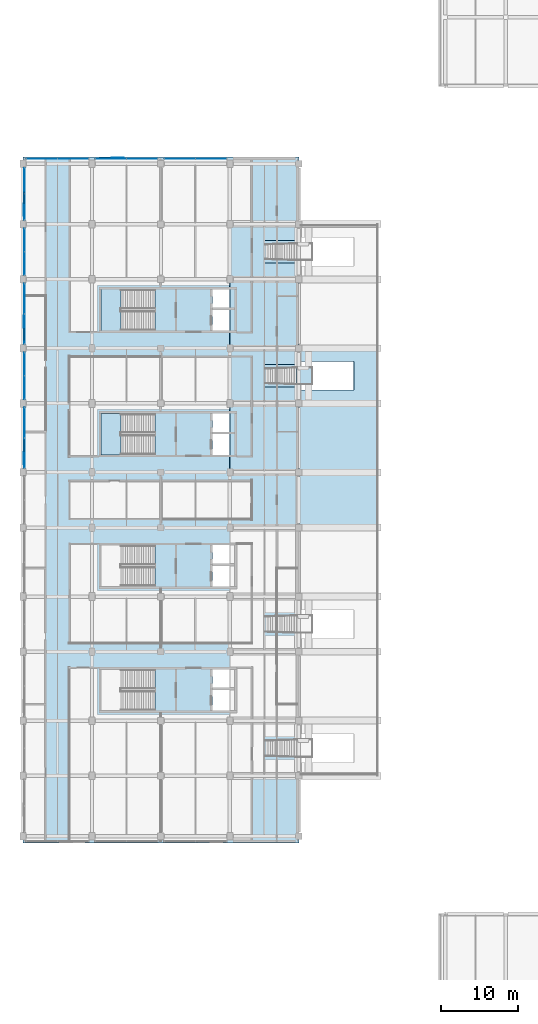
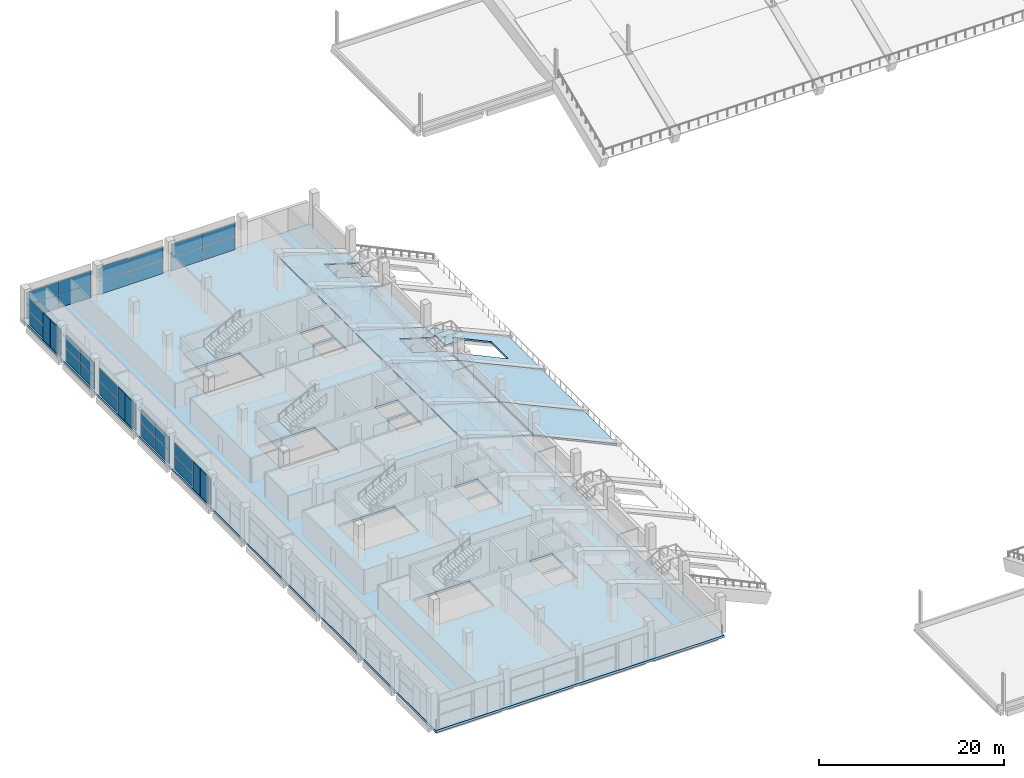
# One storey, part 42 of 66: 40 plates, 12 slabs, 10 elements without a shape of their own.
"""IFC4 building model written with IfcOpenShell, lengths in metres."""

from ifc_helpers import new_model, si_unit, direction, frame, origin, origin_2d, place, context, subcontext, project, spatial, polyline, rectangle, outline, extrude, material, layer, layer_set, type_object, element, aggregate, save


model = new_model("IFC4")

# Units and contexts
model_context = context("Model", 3, precision=1e-05, world=origin(), true_north=direction((0.0, 1.0)))
body_context = subcontext(model_context, "Body", "Model", "MODEL_VIEW")
ifc_project = project(units=[si_unit("LENGTHUNIT", "METRE"), si_unit("AREAUNIT", "SQUARE_METRE"), si_unit("VOLUMEUNIT", "CUBIC_METRE"), si_unit("PLANEANGLEUNIT", "RADIAN"), si_unit("MASSUNIT", "GRAM", prefix="KILO"), si_unit("THERMODYNAMICTEMPERATUREUNIT", "KELVIN"), si_unit("POWERUNIT", "WATT")], contexts=[model_context])

# Site, building, storey
site_placement = place(None, origin())
site = spatial("IfcSite", under=ifc_project, at=site_placement, CompositionType="ELEMENT")
building_placement = place(site_placement, origin())
building = spatial("IfcBuilding", under=site, at=building_placement, Name="Sindhuravela Promenade Stadium", CompositionType="ELEMENT")
storey_placement = place(building_placement, frame((0.0, 0.0, 19.199951171875)))
storey = spatial("IfcBuildingStorey", under=building, at=storey_placement, Name="L04", CompositionType="ELEMENT", Elevation=19.199951171875)

# Plates
ifc_material_1 = material(Name="Perforated terracotta celosia brick (15 MPa)", Category="masonry")
ifc_layer_1 = layer(ifc_material_1, 0.090087890625)
ifc_layer_set_1 = layer_set([ifc_layer_1], Name="Perforated terracotta celosia brick (15 MPa)")
plate_type_1 = type_object("IfcPlateType", Name="CL-SCR-01", PredefinedType="USERDEFINED", material=ifc_layer_set_1)
for number, where, z_axis, x_axis, name in (
    (1, (0.1201171875, 104.2548828125, 0.0), (0.0, 0.0, 1.0), (0.0, 1.0, 0.0), "Perforated brick celosia screen WEST L04-56"),
    (2, (12.35498046875, 125.6298828125, 0.0), (0.0, 0.0, 1.0), (1.0, 0.0, 0.0), "Perforated brick celosia screen WEST L04-60"),
):
    element("IfcPlate", number, at=place(storey_placement, frame(where, z_axis=z_axis, x_axis=x_axis)), inside=storey, type_object=plate_type_1, Name=name, ObjectType="SCREEN PANEL", PredefinedType="USERDEFINED", context=body_context, shape_type="SweptSolid", body=[
        extrude(rectangle(XDim=1.56005859375, YDim=0.090087890625, at=origin_2d()), origin(), (0.0, 0.0, 1.0), 3.580078125),
    ])
ifc_layer_2 = layer(ifc_material_1, 0.114990234375)
ifc_layer_set_2 = layer_set([ifc_layer_2], Name="Perforated terracotta celosia brick (15 MPa)")
plate_type_2 = type_object("IfcPlateType", Name="CL-SCR-02", PredefinedType="USERDEFINED", material=ifc_layer_set_2)
for number, where, z_axis, x_axis, name in (
    (3, (0.1201171875, 86.455078125, 0.0), (0.0, 0.0, 1.0), (0.0, 1.0, 0.0), "Perforated brick celosia screen WEST L04-53"),
    (4, (0.1201171875, 118.85498046875, 0.0), (0.0, 0.0, 1.0), (0.0, 1.0, 0.0), "Perforated brick celosia screen WEST L04-57"),
):
    element("IfcPlate", number, at=place(storey_placement, frame(where, z_axis=z_axis, x_axis=x_axis)), inside=storey, type_object=plate_type_2, Name=name, ObjectType="SCREEN PANEL", PredefinedType="USERDEFINED", context=body_context, shape_type="SweptSolid", body=[
        extrude(rectangle(XDim=1.56005859375, YDim=0.114990234375, at=origin_2d()), origin(), (0.0, 0.0, 1.0), 3.580078125),
    ])
ifc_layer_3 = layer(ifc_material_1, 0.139892578125)
ifc_layer_set_3 = layer_set([ifc_layer_3], Name="Perforated terracotta celosia brick (15 MPa)")
plate_type_3 = type_object("IfcPlateType", Name="CL-SCR-03", PredefinedType="USERDEFINED", material=ifc_layer_set_3)
for number, where, z_axis, x_axis, name in (
    (5, (0.1201171875, 88.054931640625, 0.0), (0.0, 0.0, 1.0), (0.0, 1.0, 0.0), "Perforated brick celosia screen WEST L04-54"),
    (6, (0.1201171875, 120.455078125, 0.0), (0.0, 0.0, 1.0), (0.0, 1.0, 0.0), "Perforated brick celosia screen WEST L04-58"),
):
    element("IfcPlate", number, at=place(storey_placement, frame(where, z_axis=z_axis, x_axis=x_axis)), inside=storey, type_object=plate_type_3, Name=name, ObjectType="SCREEN PANEL", PredefinedType="USERDEFINED", context=body_context, shape_type="SweptSolid", body=[
        extrude(rectangle(XDim=1.56005859375, YDim=0.139892578125, at=origin_2d()), origin(), (0.0, 0.0, 1.0), 3.580078125),
    ])
ifc_layer_4 = layer(ifc_material_1, 0.1650390625)
ifc_layer_set_4 = layer_set([ifc_layer_4], Name="Perforated terracotta celosia brick (15 MPa)")
plate_type_4 = type_object("IfcPlateType", Name="CL-SCR-04", PredefinedType="USERDEFINED", material=ifc_layer_set_4)
for number, where, z_axis, x_axis, name in (
    (7, (0.1201171875, 102.655029296875, 0.0), (0.0, 0.0, 1.0), (0.0, 1.0, 0.0), "Perforated brick celosia screen WEST L04-55"),
    (8, (10.7548828125, 125.6298828125, 0.0), (0.0, 0.0, 1.0), (1.0, 0.0, 0.0), "Perforated brick celosia screen WEST L04-59"),
):
    element("IfcPlate", number, at=place(storey_placement, frame(where, z_axis=z_axis, x_axis=x_axis)), inside=storey, type_object=plate_type_4, Name=name, ObjectType="SCREEN PANEL", PredefinedType="USERDEFINED", context=body_context, shape_type="SweptSolid", body=[
        extrude(rectangle(XDim=1.56005859375, YDim=0.1650390625, at=origin_2d()), origin(), (0.0, 0.0, 1.0), 3.580078125),
    ])

# Curtain wall, plates
ifc_material_2 = material(Name="Anodised architectural aluminium 6063-T6", Category="aluminium")
curtain_wall_type_1 = type_object("IfcCurtainWallType", Name="CW-MOD-7", PredefinedType="NOTDEFINED", material=ifc_material_2)
curtain_wall_1_placement = place(storey_placement, origin())
curtain_wall_1 = element("IfcCurtainWall", 9, at=curtain_wall_1_placement, inside=storey, type_object=curtain_wall_type_1, Name="Bronze curtain wall CW-WEST-L04-054", PredefinedType="NOTDEFINED")
ifc_material_3 = material(Name="Tempered laminated low-E glass", Category="glass")
ifc_layer_5 = layer(ifc_material_3, 0.028076171875)
ifc_layer_set_5 = layer_set([ifc_layer_5], Name="Tempered laminated low-E glass")
plate_type_5 = type_object("IfcPlateType", Name="CW-PNL-01", PredefinedType="CURTAIN_PANEL", material=ifc_layer_set_5)
plate_1_placement = place(storey_placement, frame((0.199951171875, 87.125, 0.01513671875), z_axis=(0.0, 0.0, 1.0), x_axis=(0.0, 1.0, 0.0)))
plate_1 = element("IfcPlate", 10, at=plate_1_placement, type_object=plate_type_5, Name="Glazed curtain panel CW-WEST-L04-054-P1.1", PredefinedType="CURTAIN_PANEL", context=body_context, shape_type="SweptSolid", body=[
    extrude(rectangle(XDim=3.889892578125, YDim=0.028076171875, at=origin_2d()), origin(), (0.0, 0.0, 1.0), 1.760009765625),
])
plate_2_placement = place(storey_placement, frame((0.199951171875, 87.125, 1.80517578125), z_axis=(0.0, 0.0, 1.0), x_axis=(0.0, 1.0, 0.0)))
plate_2 = element("IfcPlate", 11, at=plate_2_placement, type_object=plate_type_5, Name="Glazed curtain panel CW-WEST-L04-054-P1.2", PredefinedType="CURTAIN_PANEL", context=body_context, shape_type="SweptSolid", body=[
    extrude(rectangle(XDim=3.889892578125, YDim=0.028076171875, at=origin_2d()), origin(), (0.0, 0.0, 1.0), 1.679931640625),
])
plate_3_placement = place(storey_placement, frame((0.199951171875, 91.074951171875, 0.01513671875), z_axis=(0.0, 0.0, 1.0), x_axis=(0.0, 1.0, 0.0)))
plate_3 = element("IfcPlate", 12, at=plate_3_placement, type_object=plate_type_5, Name="Glazed curtain panel CW-WEST-L04-054-P2.1", PredefinedType="CURTAIN_PANEL", context=body_context, shape_type="SweptSolid", body=[
    extrude(rectangle(XDim=3.889892578125, YDim=0.028076171875, at=origin_2d()), origin(), (0.0, 0.0, 1.0), 1.760009765625),
])
plate_4_placement = place(storey_placement, frame((0.199951171875, 91.074951171875, 1.80517578125), z_axis=(0.0, 0.0, 1.0), x_axis=(0.0, 1.0, 0.0)))
plate_4 = element("IfcPlate", 13, at=plate_4_placement, type_object=plate_type_5, Name="Glazed curtain panel CW-WEST-L04-054-P2.2", PredefinedType="CURTAIN_PANEL", context=body_context, shape_type="SweptSolid", body=[
    extrude(rectangle(XDim=3.889892578125, YDim=0.028076171875, at=origin_2d()), origin(), (0.0, 0.0, 1.0), 1.679931640625),
])
aggregate(curtain_wall_1, [plate_1, plate_2, plate_3, plate_4])

curtain_wall_type_2 = type_object("IfcCurtainWallType", Name="CW-MOD-1", PredefinedType="NOTDEFINED", material=ifc_material_2)
curtain_wall_2_placement = place(storey_placement, origin())
curtain_wall_2 = element("IfcCurtainWall", 14, at=curtain_wall_2_placement, inside=storey, type_object=curtain_wall_type_2, Name="Bronze curtain wall CW-WEST-L04-056", PredefinedType="NOTDEFINED")
plate_5_placement = place(storey_placement, frame((0.199951171875, 103.324951171875, 0.01513671875), z_axis=(0.0, 0.0, 1.0), x_axis=(0.0, 1.0, 0.0)))
plate_5 = element("IfcPlate", 15, at=plate_5_placement, type_object=plate_type_5, Name="Glazed curtain panel CW-WEST-L04-056-P1.1", PredefinedType="CURTAIN_PANEL", context=body_context, shape_type="SweptSolid", body=[
    extrude(rectangle(XDim=3.889892578125, YDim=0.028076171875, at=origin_2d()), origin(), (0.0, 0.0, 1.0), 1.760009765625),
])
plate_6_placement = place(storey_placement, frame((0.199951171875, 103.324951171875, 1.80517578125), z_axis=(0.0, 0.0, 1.0), x_axis=(0.0, 1.0, 0.0)))
plate_6 = element("IfcPlate", 16, at=plate_6_placement, type_object=plate_type_5, Name="Glazed curtain panel CW-WEST-L04-056-P1.2", PredefinedType="CURTAIN_PANEL", context=body_context, shape_type="SweptSolid", body=[
    extrude(rectangle(XDim=3.889892578125, YDim=0.028076171875, at=origin_2d()), origin(), (0.0, 0.0, 1.0), 1.679931640625),
])
plate_7_placement = place(storey_placement, frame((0.199951171875, 107.27490234375, 0.01513671875), z_axis=(0.0, 0.0, 1.0), x_axis=(0.0, 1.0, 0.0)))
plate_7 = element("IfcPlate", 17, at=plate_7_placement, type_object=plate_type_5, Name="Glazed curtain panel CW-WEST-L04-056-P2.1", PredefinedType="CURTAIN_PANEL", context=body_context, shape_type="SweptSolid", body=[
    extrude(rectangle(XDim=3.889892578125, YDim=0.028076171875, at=origin_2d()), origin(), (0.0, 0.0, 1.0), 1.760009765625),
])
plate_8_placement = place(storey_placement, frame((0.199951171875, 107.27490234375, 1.80517578125), z_axis=(0.0, 0.0, 1.0), x_axis=(0.0, 1.0, 0.0)))
plate_8 = element("IfcPlate", 18, at=plate_8_placement, type_object=plate_type_5, Name="Glazed curtain panel CW-WEST-L04-056-P2.2", PredefinedType="CURTAIN_PANEL", context=body_context, shape_type="SweptSolid", body=[
    extrude(rectangle(XDim=3.889892578125, YDim=0.028076171875, at=origin_2d()), origin(), (0.0, 0.0, 1.0), 1.679931640625),
])
aggregate(curtain_wall_2, [plate_5, plate_6, plate_7, plate_8])

curtain_wall_type_3 = type_object("IfcCurtainWallType", Name="CW-MOD-3", PredefinedType="NOTDEFINED", material=ifc_material_2)
curtain_wall_3_placement = place(storey_placement, origin())
curtain_wall_3 = element("IfcCurtainWall", 19, at=curtain_wall_3_placement, inside=storey, type_object=curtain_wall_type_3, Name="Bronze curtain wall CW-WEST-L04-058", PredefinedType="NOTDEFINED")
plate_9_placement = place(storey_placement, frame((0.199951171875, 119.25, 0.01513671875), z_axis=(0.0, 0.0, 1.0), x_axis=(0.0, 1.0, 0.0)))
plate_9 = element("IfcPlate", 20, at=plate_9_placement, type_object=plate_type_5, Name="Glazed curtain panel CW-WEST-L04-058-P1.1", PredefinedType="CURTAIN_PANEL", context=body_context, shape_type="SweptSolid", body=[
    extrude(rectangle(XDim=3.340087890625, YDim=0.028076171875, at=origin_2d()), origin(), (0.0, 0.0, 1.0), 1.760009765625),
])
plate_10_placement = place(storey_placement, frame((0.199951171875, 119.25, 1.80517578125), z_axis=(0.0, 0.0, 1.0), x_axis=(0.0, 1.0, 0.0)))
plate_10 = element("IfcPlate", 21, at=plate_10_placement, type_object=plate_type_5, Name="Glazed curtain panel CW-WEST-L04-058-P1.2", PredefinedType="CURTAIN_PANEL", context=body_context, shape_type="SweptSolid", body=[
    extrude(rectangle(XDim=3.340087890625, YDim=0.028076171875, at=origin_2d()), origin(), (0.0, 0.0, 1.0), 1.679931640625),
])
plate_11_placement = place(storey_placement, frame((0.199951171875, 122.64990234375, 0.01513671875), z_axis=(0.0, 0.0, 1.0), x_axis=(0.0, 1.0, 0.0)))
plate_11 = element("IfcPlate", 22, at=plate_11_placement, type_object=plate_type_5, Name="Glazed curtain panel CW-WEST-L04-058-P2.1", PredefinedType="CURTAIN_PANEL", context=body_context, shape_type="SweptSolid", body=[
    extrude(rectangle(XDim=3.340087890625, YDim=0.028076171875, at=origin_2d()), origin(), (0.0, 0.0, 1.0), 1.760009765625),
])
plate_12_placement = place(storey_placement, frame((0.199951171875, 122.64990234375, 1.80517578125), z_axis=(0.0, 0.0, 1.0), x_axis=(0.0, 1.0, 0.0)))
plate_12 = element("IfcPlate", 23, at=plate_12_placement, type_object=plate_type_5, Name="Glazed curtain panel CW-WEST-L04-058-P2.2", PredefinedType="CURTAIN_PANEL", context=body_context, shape_type="SweptSolid", body=[
    extrude(rectangle(XDim=3.340087890625, YDim=0.028076171875, at=origin_2d()), origin(), (0.0, 0.0, 1.0), 1.679931640625),
])
aggregate(curtain_wall_3, [plate_9, plate_10, plate_11, plate_12])

curtain_wall_type_4 = type_object("IfcCurtainWallType", Name="CW-MOD-5", PredefinedType="NOTDEFINED", material=ifc_material_2)
curtain_wall_4_placement = place(storey_placement, origin())
curtain_wall_4 = element("IfcCurtainWall", 24, at=curtain_wall_4_placement, inside=storey, type_object=curtain_wall_type_4, Name="Bronze curtain wall CW-WEST-L04-060", PredefinedType="NOTDEFINED")
plate_13_placement = place(storey_placement, frame((11.46875, 125.550048828125, 0.01513671875), z_axis=(0.0, 0.0, 1.0), x_axis=(1.0, 0.0, 0.0)))
plate_13 = element("IfcPlate", 25, at=plate_13_placement, type_object=plate_type_5, Name="Glazed curtain panel CW-WEST-L04-060-P1.1", PredefinedType="CURTAIN_PANEL", context=body_context, shape_type="SweptSolid", body=[
    extrude(rectangle(XDim=3.97802734375, YDim=0.028076171875, at=origin_2d()), origin(), (0.0, 0.0, 1.0), 1.760009765625),
])
plate_14_placement = place(storey_placement, frame((11.46875, 125.550048828125, 1.80517578125), z_axis=(0.0, 0.0, 1.0), x_axis=(1.0, 0.0, 0.0)))
plate_14 = element("IfcPlate", 26, at=plate_14_placement, type_object=plate_type_5, Name="Glazed curtain panel CW-WEST-L04-060-P1.2", PredefinedType="CURTAIN_PANEL", context=body_context, shape_type="SweptSolid", body=[
    extrude(rectangle(XDim=3.97802734375, YDim=0.028076171875, at=origin_2d()), origin(), (0.0, 0.0, 1.0), 1.679931640625),
])
plate_15_placement = place(storey_placement, frame((15.506103515625, 125.550048828125, 0.01513671875), z_axis=(0.0, 0.0, 1.0), x_axis=(1.0, 0.0, 0.0)))
plate_15 = element("IfcPlate", 27, at=plate_15_placement, type_object=plate_type_5, Name="Glazed curtain panel CW-WEST-L04-060-P2.1", PredefinedType="CURTAIN_PANEL", context=body_context, shape_type="SweptSolid", body=[
    extrude(rectangle(XDim=3.97802734375, YDim=0.028076171875, at=origin_2d()), origin(), (0.0, 0.0, 1.0), 1.760009765625),
])
plate_16_placement = place(storey_placement, frame((15.506103515625, 125.550048828125, 1.80517578125), z_axis=(0.0, 0.0, 1.0), x_axis=(1.0, 0.0, 0.0)))
plate_16 = element("IfcPlate", 28, at=plate_16_placement, type_object=plate_type_5, Name="Glazed curtain panel CW-WEST-L04-060-P2.2", PredefinedType="CURTAIN_PANEL", context=body_context, shape_type="SweptSolid", body=[
    extrude(rectangle(XDim=3.97802734375, YDim=0.028076171875, at=origin_2d()), origin(), (0.0, 0.0, 1.0), 1.679931640625),
])
aggregate(curtain_wall_4, [plate_13, plate_14, plate_15, plate_16])

curtain_wall_type_5 = type_object("IfcCurtainWallType", Name="CW-MOD-8", PredefinedType="NOTDEFINED", material=ifc_material_2)
curtain_wall_5_placement = place(storey_placement, origin())
curtain_wall_5 = element("IfcCurtainWall", 29, at=curtain_wall_5_placement, inside=storey, type_object=curtain_wall_type_5, Name="Bronze curtain wall CW-WEST-L04-055", PredefinedType="NOTDEFINED")
ifc_layer_6 = layer(ifc_material_3, 0.0400390625)
ifc_layer_set_6 = layer_set([ifc_layer_6], Name="Tempered laminated low-E glass")
plate_type_6 = type_object("IfcPlateType", Name="CW-PNL-02", PredefinedType="CURTAIN_PANEL", material=ifc_layer_set_6)
plate_17_placement = place(storey_placement, frame((0.199951171875, 95.675048828125, 0.01513671875), z_axis=(0.0, 0.0, 1.0), x_axis=(0.0, 1.0, 0.0)))
plate_17 = element("IfcPlate", 30, at=plate_17_placement, type_object=plate_type_6, Name="Glazed curtain panel CW-WEST-L04-055-P1.1", PredefinedType="CURTAIN_PANEL", context=body_context, shape_type="SweptSolid", body=[
    extrude(rectangle(XDim=2.989990234375, YDim=0.0400390625, at=origin_2d()), origin(), (0.0, 0.0, 1.0), 1.760009765625),
])
plate_18_placement = place(storey_placement, frame((0.199951171875, 95.675048828125, 1.80517578125), z_axis=(0.0, 0.0, 1.0), x_axis=(0.0, 1.0, 0.0)))
plate_18 = element("IfcPlate", 31, at=plate_18_placement, type_object=plate_type_6, Name="Glazed curtain panel CW-WEST-L04-055-P1.2", PredefinedType="CURTAIN_PANEL", context=body_context, shape_type="SweptSolid", body=[
    extrude(rectangle(XDim=2.989990234375, YDim=0.0400390625, at=origin_2d()), origin(), (0.0, 0.0, 1.0), 1.679931640625),
])
plate_19_placement = place(storey_placement, frame((0.199951171875, 98.72509765625, 0.01513671875), z_axis=(0.0, 0.0, 1.0), x_axis=(0.0, 1.0, 0.0)))
plate_19 = element("IfcPlate", 32, at=plate_19_placement, type_object=plate_type_6, Name="Glazed curtain panel CW-WEST-L04-055-P2.1", PredefinedType="CURTAIN_PANEL", context=body_context, shape_type="SweptSolid", body=[
    extrude(rectangle(XDim=2.989990234375, YDim=0.0400390625, at=origin_2d()), origin(), (0.0, 0.0, 1.0), 1.760009765625),
])
plate_20_placement = place(storey_placement, frame((0.199951171875, 98.72509765625, 1.80517578125), z_axis=(0.0, 0.0, 1.0), x_axis=(0.0, 1.0, 0.0)))
plate_20 = element("IfcPlate", 33, at=plate_20_placement, type_object=plate_type_6, Name="Glazed curtain panel CW-WEST-L04-055-P2.2", PredefinedType="CURTAIN_PANEL", context=body_context, shape_type="SweptSolid", body=[
    extrude(rectangle(XDim=2.989990234375, YDim=0.0400390625, at=origin_2d()), origin(), (0.0, 0.0, 1.0), 1.679931640625),
])
aggregate(curtain_wall_5, [plate_17, plate_18, plate_19, plate_20])

curtain_wall_type_6 = type_object("IfcCurtainWallType", Name="CW-MOD-2", PredefinedType="NOTDEFINED", material=ifc_material_2)
curtain_wall_6_placement = place(storey_placement, origin())
curtain_wall_6 = element("IfcCurtainWall", 34, at=curtain_wall_6_placement, inside=storey, type_object=curtain_wall_type_6, Name="Bronze curtain wall CW-WEST-L04-057", PredefinedType="NOTDEFINED")
plate_21_placement = place(storey_placement, frame((0.199951171875, 111.875, 0.01513671875), z_axis=(0.0, 0.0, 1.0), x_axis=(0.0, 1.0, 0.0)))
plate_21 = element("IfcPlate", 35, at=plate_21_placement, type_object=plate_type_6, Name="Glazed curtain panel CW-WEST-L04-057-P1.1", PredefinedType="CURTAIN_PANEL", context=body_context, shape_type="SweptSolid", body=[
    extrude(rectangle(XDim=2.989990234375, YDim=0.0400390625, at=origin_2d()), origin(), (0.0, 0.0, 1.0), 1.760009765625),
])
plate_22_placement = place(storey_placement, frame((0.199951171875, 111.875, 1.80517578125), z_axis=(0.0, 0.0, 1.0), x_axis=(0.0, 1.0, 0.0)))
plate_22 = element("IfcPlate", 36, at=plate_22_placement, type_object=plate_type_6, Name="Glazed curtain panel CW-WEST-L04-057-P1.2", PredefinedType="CURTAIN_PANEL", context=body_context, shape_type="SweptSolid", body=[
    extrude(rectangle(XDim=2.989990234375, YDim=0.0400390625, at=origin_2d()), origin(), (0.0, 0.0, 1.0), 1.679931640625),
])
plate_23_placement = place(storey_placement, frame((0.199951171875, 114.925048828125, 0.01513671875), z_axis=(0.0, 0.0, 1.0), x_axis=(0.0, 1.0, 0.0)))
plate_23 = element("IfcPlate", 37, at=plate_23_placement, type_object=plate_type_6, Name="Glazed curtain panel CW-WEST-L04-057-P2.1", PredefinedType="CURTAIN_PANEL", context=body_context, shape_type="SweptSolid", body=[
    extrude(rectangle(XDim=2.989990234375, YDim=0.0400390625, at=origin_2d()), origin(), (0.0, 0.0, 1.0), 1.760009765625),
])
plate_24_placement = place(storey_placement, frame((0.199951171875, 114.925048828125, 1.80517578125), z_axis=(0.0, 0.0, 1.0), x_axis=(0.0, 1.0, 0.0)))
plate_24 = element("IfcPlate", 38, at=plate_24_placement, type_object=plate_type_6, Name="Glazed curtain panel CW-WEST-L04-057-P2.2", PredefinedType="CURTAIN_PANEL", context=body_context, shape_type="SweptSolid", body=[
    extrude(rectangle(XDim=2.989990234375, YDim=0.0400390625, at=origin_2d()), origin(), (0.0, 0.0, 1.0), 1.679931640625),
])
aggregate(curtain_wall_6, [plate_21, plate_22, plate_23, plate_24])

curtain_wall_type_7 = type_object("IfcCurtainWallType", Name="CW-MOD-4", PredefinedType="NOTDEFINED", material=ifc_material_2)
curtain_wall_7_placement = place(storey_placement, origin())
curtain_wall_7 = element("IfcCurtainWall", 39, at=curtain_wall_7_placement, inside=storey, type_object=curtain_wall_type_7, Name="Bronze curtain wall CW-WEST-L04-059", PredefinedType="NOTDEFINED")
plate_25_placement = place(storey_placement, frame((2.47509765625, 125.550048828125, 0.01513671875), z_axis=(0.0, 0.0, 1.0), x_axis=(1.0, 0.0, 0.0)))
plate_25 = element("IfcPlate", 40, at=plate_25_placement, type_object=plate_type_6, Name="Glazed curtain panel CW-WEST-L04-059-P1.1", PredefinedType="CURTAIN_PANEL", context=body_context, shape_type="SweptSolid", body=[
    extrude(rectangle(XDim=3.989990234375, YDim=0.0400390625, at=origin_2d()), origin(), (0.0, 0.0, 1.0), 1.760009765625),
])
plate_26_placement = place(storey_placement, frame((2.47509765625, 125.550048828125, 1.80517578125), z_axis=(0.0, 0.0, 1.0), x_axis=(1.0, 0.0, 0.0)))
plate_26 = element("IfcPlate", 41, at=plate_26_placement, type_object=plate_type_6, Name="Glazed curtain panel CW-WEST-L04-059-P1.2", PredefinedType="CURTAIN_PANEL", context=body_context, shape_type="SweptSolid", body=[
    extrude(rectangle(XDim=3.989990234375, YDim=0.0400390625, at=origin_2d()), origin(), (0.0, 0.0, 1.0), 1.679931640625),
])
plate_27_placement = place(storey_placement, frame((6.52490234375, 125.550048828125, 0.01513671875), z_axis=(0.0, 0.0, 1.0), x_axis=(1.0, 0.0, 0.0)))
plate_27 = element("IfcPlate", 42, at=plate_27_placement, type_object=plate_type_6, Name="Glazed curtain panel CW-WEST-L04-059-P2.1", PredefinedType="CURTAIN_PANEL", context=body_context, shape_type="SweptSolid", body=[
    extrude(rectangle(XDim=3.989990234375, YDim=0.0400390625, at=origin_2d()), origin(), (0.0, 0.0, 1.0), 1.760009765625),
])
plate_28_placement = place(storey_placement, frame((6.52490234375, 125.550048828125, 1.80517578125), z_axis=(0.0, 0.0, 1.0), x_axis=(1.0, 0.0, 0.0)))
plate_28 = element("IfcPlate", 43, at=plate_28_placement, type_object=plate_type_6, Name="Glazed curtain panel CW-WEST-L04-059-P2.2", PredefinedType="CURTAIN_PANEL", context=body_context, shape_type="SweptSolid", body=[
    extrude(rectangle(XDim=3.989990234375, YDim=0.0400390625, at=origin_2d()), origin(), (0.0, 0.0, 1.0), 1.679931640625),
])
aggregate(curtain_wall_7, [plate_25, plate_26, plate_27, plate_28])

curtain_wall_type_8 = type_object("IfcCurtainWallType", Name="CW-MOD-6", PredefinedType="NOTDEFINED", material=ifc_material_2)
curtain_wall_8_placement = place(storey_placement, origin())
curtain_wall_8 = element("IfcCurtainWall", 44, at=curtain_wall_8_placement, inside=storey, type_object=curtain_wall_type_8, Name="Bronze curtain wall CW-WEST-L04-061", PredefinedType="NOTDEFINED")
plate_29_placement = place(storey_placement, frame((20.49365234375, 125.550048828125, 0.01513671875), z_axis=(0.0, 0.0, 1.0), x_axis=(1.0, 0.0, 0.0)))
plate_29 = element("IfcPlate", 45, at=plate_29_placement, type_object=plate_type_6, Name="Glazed curtain panel CW-WEST-L04-061-P1.1", PredefinedType="CURTAIN_PANEL", context=body_context, shape_type="SweptSolid", body=[
    extrude(rectangle(XDim=3.97705078125, YDim=0.0400390625, at=origin_2d()), origin(), (0.0, 0.0, 1.0), 1.760009765625),
])
plate_30_placement = place(storey_placement, frame((20.49365234375, 125.550048828125, 1.80517578125), z_axis=(0.0, 0.0, 1.0), x_axis=(1.0, 0.0, 0.0)))
plate_30 = element("IfcPlate", 46, at=plate_30_placement, type_object=plate_type_6, Name="Glazed curtain panel CW-WEST-L04-061-P1.2", PredefinedType="CURTAIN_PANEL", context=body_context, shape_type="SweptSolid", body=[
    extrude(rectangle(XDim=3.97705078125, YDim=0.0400390625, at=origin_2d()), origin(), (0.0, 0.0, 1.0), 1.679931640625),
])
plate_31_placement = place(storey_placement, frame((24.53125, 125.550048828125, 0.01513671875), z_axis=(0.0, 0.0, 1.0), x_axis=(1.0, 0.0, 0.0)))
plate_31 = element("IfcPlate", 47, at=plate_31_placement, type_object=plate_type_6, Name="Glazed curtain panel CW-WEST-L04-061-P2.1", PredefinedType="CURTAIN_PANEL", context=body_context, shape_type="SweptSolid", body=[
    extrude(rectangle(XDim=3.97705078125, YDim=0.0400390625, at=origin_2d()), origin(), (0.0, 0.0, 1.0), 1.760009765625),
])
plate_32_placement = place(storey_placement, frame((24.53125, 125.550048828125, 1.80517578125), z_axis=(0.0, 0.0, 1.0), x_axis=(1.0, 0.0, 0.0)))
plate_32 = element("IfcPlate", 48, at=plate_32_placement, type_object=plate_type_6, Name="Glazed curtain panel CW-WEST-L04-061-P2.2", PredefinedType="CURTAIN_PANEL", context=body_context, shape_type="SweptSolid", body=[
    extrude(rectangle(XDim=3.97705078125, YDim=0.0400390625, at=origin_2d()), origin(), (0.0, 0.0, 1.0), 1.679931640625),
])
aggregate(curtain_wall_8, [plate_29, plate_30, plate_31, plate_32])

# Slabs
ifc_material_4 = material(Name="Concrete M40", Category="concrete")
ifc_layer_7 = layer(ifc_material_4, 0.25)
ifc_layer_set_7 = layer_set([ifc_layer_7], Name="Concrete M40")
slab_type_1 = type_object("IfcSlabType", Name="SL-FLR-250", PredefinedType="FLOOR", material=ifc_layer_set_7)
slab_1_placement = place(storey_placement, frame((0.0, 0.0, 1.85009765625)))
element("IfcSlab", 49, at=slab_1_placement, inside=storey, type_object=slab_type_1, Name="Vomitory VS14 tier landing slab", PredefinedType="FLOOR", context=body_context, shape_type="SweptSolid", body=[
    extrude(outline(polyline([(35.679443359375, 96.030029296875), (37.830078125, 96.030029296875), (37.830078125, 98.3701171875), (35.679443359375, 98.3701171875), (35.679443359375, 96.030029296875)])), origin(), (0.0, 0.0, 1.0), 0.25),
])
ifc_layer_8 = layer(ifc_material_4, 0.320068359375)
ifc_layer_set_8 = layer_set([ifc_layer_8], Name="Concrete M40")
slab_type_2 = type_object("IfcSlabType", Name="SL-FLR-320", PredefinedType="FLOOR", material=ifc_layer_set_8)
slab_2_placement = place(storey_placement, frame((0.0, 0.0, -0.320068359375)))
element("IfcSlab", 50, at=slab_2_placement, inside=storey, type_object=slab_type_2, Name="Floor slab WEST L04", PredefinedType="FLOOR", context=body_context, shape_type="SweptSolid", body=[
    extrude(outline(polyline([(0.0, 36.25), (36.0, 36.25), (36.0, 125.75), (0.0, 125.75), (0.0, 36.25)]), holes=[polyline([(10.199951171875, 53.5), (17.249267578125, 53.5), (17.249267578125, 58.89990234375), (10.199951171875, 58.89990234375), (10.199951171875, 53.5)]), polyline([(24.699951171875, 56.5), (27.60009765625, 56.5), (27.60009765625, 58.89990234375), (24.699951171875, 58.89990234375), (24.699951171875, 56.5)]), polyline([(24.699951171875, 53.5), (27.60009765625, 53.5), (27.60009765625, 56.199951171875), (24.699951171875, 56.199951171875), (24.699951171875, 53.5)]), polyline([(10.199951171875, 69.699951171875), (17.249267578125, 69.699951171875), (17.249267578125, 75.10009765625), (10.199951171875, 75.10009765625), (10.199951171875, 69.699951171875)]), polyline([(24.699951171875, 72.699951171875), (27.60009765625, 72.699951171875), (27.60009765625, 75.10009765625), (24.699951171875, 75.10009765625), (24.699951171875, 72.699951171875)]), polyline([(24.699951171875, 69.699951171875), (27.60009765625, 69.699951171875), (27.60009765625, 72.39990234375), (24.699951171875, 72.39990234375), (24.699951171875, 69.699951171875)]), polyline([(10.199951171875, 86.89990234375), (17.249267578125, 86.89990234375), (17.249267578125, 92.300048828125), (10.199951171875, 92.300048828125), (10.199951171875, 86.89990234375)]), polyline([(24.699951171875, 89.89990234375), (27.60009765625, 89.89990234375), (27.60009765625, 92.300048828125), (24.699951171875, 92.300048828125), (24.699951171875, 89.89990234375)]), polyline([(24.699951171875, 86.89990234375), (27.60009765625, 86.89990234375), (27.60009765625, 89.60009765625), (24.699951171875, 89.60009765625), (24.699951171875, 86.89990234375)]), polyline([(10.199951171875, 103.10009765625), (17.249267578125, 103.10009765625), (17.249267578125, 108.5), (10.199951171875, 108.5), (10.199951171875, 103.10009765625)]), polyline([(24.699951171875, 106.10009765625), (27.60009765625, 106.10009765625), (27.60009765625, 108.5), (24.699951171875, 108.5), (24.699951171875, 106.10009765625)]), polyline([(24.699951171875, 103.10009765625), (27.60009765625, 103.10009765625), (27.60009765625, 105.800048828125), (24.699951171875, 105.800048828125), (24.699951171875, 103.10009765625)])]), origin(), (0.0, 0.0, 1.0), 0.320068359375),
])

# Stair, slab
stair_type = type_object("IfcStairType", Name="ST-CORE-DOGLEG", PredefinedType="HALF_TURN_STAIR", material=ifc_material_4)
stair_1_placement = place(storey_placement, origin())
stair_1 = element("IfcStair", 51, at=stair_1_placement, inside=storey, type_object=stair_type, Name="Protected escape stair ST03 (L04)", PredefinedType="HALF_TURN_STAIR")
ifc_layer_9 = layer(ifc_material_4, 0.219970703125)
ifc_layer_set_9 = layer_set([ifc_layer_9], Name="Concrete M40")
slab_type_3 = type_object("IfcSlabType", Name="SL-LND-220", PredefinedType="LANDING", material=ifc_layer_set_9)
slab_3_placement = place(storey_placement, frame((0.0, 0.0, 2.179931640625)))
slab_3 = element("IfcSlab", 52, at=slab_3_placement, type_object=slab_type_3, Name="Stair ST03 half-landing (L04)", PredefinedType="LANDING", context=body_context, shape_type="SweptSolid", body=[
    extrude(outline(polyline([(10.179931640625, 86.8798828125), (12.751953125, 86.8798828125), (12.751953125, 92.320068359375), (10.179931640625, 92.320068359375), (10.179931640625, 86.8798828125)])), origin(), (0.0, 0.0, 1.0), 0.22021484375),
])
aggregate(stair_1, [slab_3])

stair_2_placement = place(storey_placement, origin())
stair_2 = element("IfcStair", 53, at=stair_2_placement, inside=storey, type_object=stair_type, Name="Protected escape stair ST04 (L04)", PredefinedType="HALF_TURN_STAIR")
slab_4_placement = place(storey_placement, frame((0.0, 0.0, 2.179931640625)))
slab_4 = element("IfcSlab", 54, at=slab_4_placement, type_object=slab_type_3, Name="Stair ST04 half-landing (L04)", PredefinedType="LANDING", context=body_context, shape_type="SweptSolid", body=[
    extrude(outline(polyline([(10.179931640625, 103.080078125), (12.751953125, 103.080078125), (12.751953125, 108.52001953125), (10.179931640625, 108.52001953125), (10.179931640625, 103.080078125)])), origin(), (0.0, 0.0, 1.0), 0.22021484375),
])
aggregate(stair_2, [slab_4])

# Slabs
ifc_material_5 = material(Name="Precast concrete M50", Category="concrete")
ifc_layer_10 = layer(ifc_material_5, 0.159912109375)
ifc_layer_set_10 = layer_set([ifc_layer_10], Name="Precast concrete M50")
slab_type_4 = type_object("IfcSlabType", Name="SL-TR2-160", PredefinedType="USERDEFINED", material=ifc_layer_set_10)
slab_5_placement = place(storey_placement, frame((36.0, 77.39990234375, 1.449951171875), z_axis=(0.2873669552676956, 0.0, 0.9578205641038274), x_axis=(0.0, 1.0, 0.0)))
element("IfcSlab", 55, at=slab_5_placement, inside=storey, type_object=slab_type_4, Name="Stand upper tier West rear bay 39", ObjectType="SEATING TIER", PredefinedType="USERDEFINED", context=body_context, shape_type="SweptSolid", body=[
    extrude(outline(polyline([(0.0, 0.0), (7.2001953125, 0.0), (7.2001953125, 9.396331982515676), (0.0, 9.396331982515676), (0.0, 0.0)])), origin(), (0.0, 0.0, -1.0), 0.159912109375),
])
slab_6_placement = place(storey_placement, frame((36.0, 84.60009765625, 1.449951171875), z_axis=(0.2873669552676956, 0.0, 0.9578205641038274), x_axis=(0.0, 1.0, 0.0)))
element("IfcSlab", 56, at=slab_6_placement, inside=storey, type_object=slab_type_4, Name="Stand upper tier West rear bay 40", ObjectType="SEATING TIER", PredefinedType="USERDEFINED", context=body_context, shape_type="SweptSolid", body=[
    extrude(outline(polyline([(0.0, 0.0), (9.0, 0.0), (9.0, 9.396331982515676), (0.0, 9.396331982515676), (0.0, 0.0)])), origin(), (0.0, 0.0, -1.0), 0.159912109375),
])
slab_7_placement = place(storey_placement, frame((36.0, 93.60009765625, 1.449951171875), z_axis=(0.2873669552676956, 0.0, 0.9578205641038275), x_axis=(0.0, 1.0, 0.0)))
element("IfcSlab", 57, at=slab_7_placement, inside=storey, type_object=slab_type_4, Name="Stand upper tier West rear bay 41", ObjectType="SEATING TIER", PredefinedType="USERDEFINED", context=body_context, shape_type="SweptSolid", body=[
    extrude(outline(polyline([(0.0, 0.0), (2.119873046875, 0.0), (2.119873046875, 4.698165991257838), (5.079833984375, 4.698165991257838), (5.079833984375, 0.0), (7.199951171875, 0.0), (7.199951171875, 9.396331982515676), (0.0, 9.396331982515676), (0.0, 0.0)])), origin(), (0.0, 0.0, -1.0), 0.159912109375),
])
slab_8_placement = place(storey_placement, frame((36.0, 100.800048828125, 1.449951171875), z_axis=(0.2873669552676956, 0.0, 0.9578205641038274), x_axis=(0.0, 1.0, 0.0)))
element("IfcSlab", 58, at=slab_8_placement, inside=storey, type_object=slab_type_4, Name="Stand upper tier West rear bay 42", ObjectType="SEATING TIER", PredefinedType="USERDEFINED", context=body_context, shape_type="SweptSolid", body=[
    extrude(outline(polyline([(0.0, 0.0), (9.0, 0.0), (9.0, 9.396331982515676), (0.0, 9.396331982515676), (0.0, 0.0)])), origin(), (0.0, 0.0, -1.0), 0.159912109375),
])
slab_9_placement = place(storey_placement, frame((36.0, 109.800048828125, 1.449951171875), z_axis=(0.2873669552676956, 0.0, 0.9578205641038275), x_axis=(0.0, 1.0, 0.0)))
element("IfcSlab", 59, at=slab_9_placement, inside=storey, type_object=slab_type_4, Name="Stand upper tier West rear bay 43", ObjectType="SEATING TIER", PredefinedType="USERDEFINED", context=body_context, shape_type="SweptSolid", body=[
    extrude(outline(polyline([(0.0, 0.0), (2.119873046875, 0.0), (2.119873046875, 4.698165991257838), (5.079833984375, 4.698165991257838), (5.079833984375, 0.0), (7.199951171875, 0.0), (7.199951171875, 9.396331982515676), (0.0, 9.396331982515676), (0.0, 0.0)])), origin(), (0.0, 0.0, -1.0), 0.159912109375),
])
ifc_layer_11 = layer(ifc_material_5, 0.199951171875)
ifc_layer_set_11 = layer_set([ifc_layer_11], Name="Precast concrete M50")
slab_type_5 = type_object("IfcSlabType", Name="SL-TR2-200", PredefinedType="USERDEFINED", material=ifc_layer_set_11)
slab_10_placement = place(storey_placement, frame((46.39990234375, 77.39990234375, -3.39990234375), z_axis=(0.42263969336375157, 0.0, 0.9062977929981922), x_axis=(0.0, 1.0, 0.0)))
element("IfcSlab", 60, at=slab_10_placement, inside=storey, type_object=slab_type_5, Name="Stand upper tier West cantilever bay 39", ObjectType="SEATING TIER", PredefinedType="USERDEFINED", context=body_context, shape_type="SweptSolid", body=[
    extrude(outline(polyline([(0.0, 0.0), (7.2001953125, 0.0), (7.2001953125, 11.475149144240213), (0.0, 11.475149144240213), (0.0, 0.0)])), origin(), (0.0, 0.0, -1.0), 0.199951171875),
])
slab_11_placement = place(storey_placement, frame((46.39990234375, 84.60009765625, -3.39990234375), z_axis=(0.42263969336375157, 0.0, 0.9062977929981922), x_axis=(0.0, 1.0, 0.0)))
element("IfcSlab", 61, at=slab_11_placement, inside=storey, type_object=slab_type_5, Name="Stand upper tier West cantilever bay 40", ObjectType="SEATING TIER", PredefinedType="USERDEFINED", context=body_context, shape_type="SweptSolid", body=[
    extrude(outline(polyline([(0.0, 0.0), (9.0, 0.0), (9.0, 11.475149144240213), (0.0, 11.475149144240213), (0.0, 0.0)])), origin(), (0.0, 0.0, -1.0), 0.199951171875),
])
slab_12_placement = place(storey_placement, frame((46.39990234375, 93.60009765625, -3.39990234375), z_axis=(0.4226359043102465, 0.0, 0.9062995599623009), x_axis=(0.0, 1.0, 0.0)))
element("IfcSlab", 62, at=slab_12_placement, inside=storey, type_object=slab_type_5, Name="Stand upper tier West cantilever bay 41", ObjectType="SEATING TIER", PredefinedType="USERDEFINED", context=body_context, shape_type="SweptSolid", body=[
    extrude(outline(polyline([(0.0, 0.0), (7.199951171875, 0.0), (7.199951171875, 11.475149144139928), (5.449951171875, 11.475149144139928), (5.449951171875, 3.5307663524341075), (1.75, 3.5307663524341075), (1.75, 11.475149144139928), (0.0, 11.475149144139928), (0.0, 0.0)])), origin(), (0.0, 0.0, -1.0), 0.199951171875),
])

save(model, "model.ifc")
